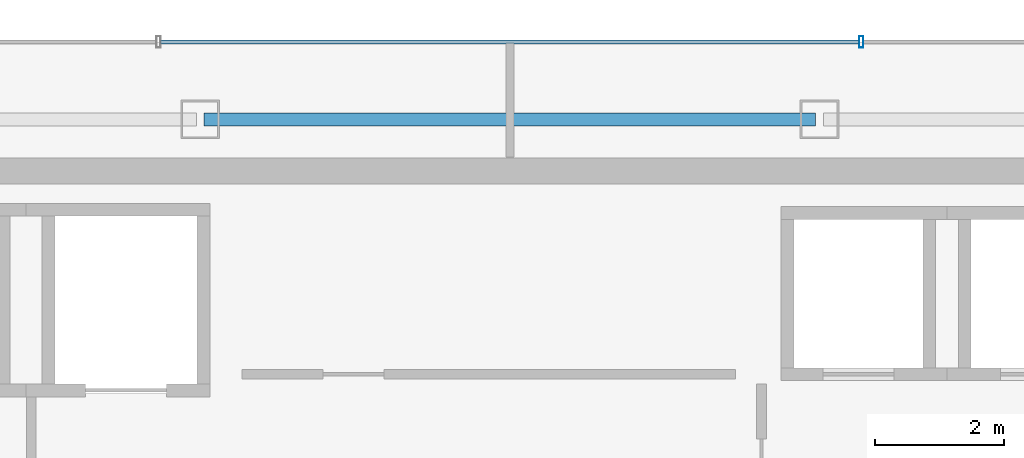
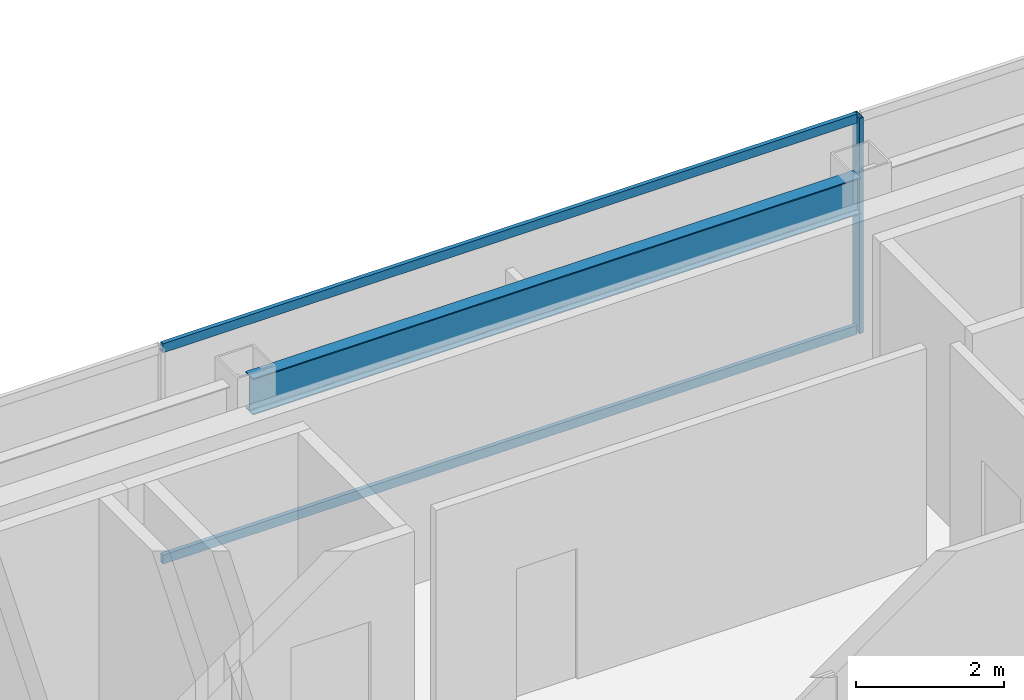
# One storey, part 10 of 23: 3 members, 1 beam, 1 element without a shape of its own.
"""IFC4 building model written with IfcOpenShell, lengths in metres."""

from ifc_helpers import new_model, si_unit, direction, frame, origin, origin_2d, place, context, subcontext, project, spatial, hollow_rectangle, i_section, extrude, material, material_profile, profile_set, type_object, element, aggregate, save


model = new_model("IFC4")

# Units and contexts
model_context = context("Model", 3, precision=1e-05, world=origin(), true_north=direction((0.0, 1.0)))
body_context = subcontext(model_context, "Body", "Model", "MODEL_VIEW")
ifc_project = project(units=[si_unit("LENGTHUNIT", "METRE"), si_unit("AREAUNIT", "SQUARE_METRE"), si_unit("VOLUMEUNIT", "CUBIC_METRE"), si_unit("PLANEANGLEUNIT", "RADIAN"), si_unit("MASSUNIT", "GRAM", prefix="KILO")], contexts=[model_context])

# Site, building, storey
site_placement = place(None, origin())
site = spatial("IfcSite", under=ifc_project, at=site_placement, CompositionType="ELEMENT")
building_placement = place(site_placement, origin())
building = spatial("IfcBuilding", under=site, at=building_placement, Name="Saevonmaru Cultural Tower", CompositionType="ELEMENT")
storey_placement = place(building_placement, frame((0.0, 0.0, 280.0)))
storey = spatial("IfcBuildingStorey", under=building, at=storey_placement, Name="L66", CompositionType="ELEMENT", Elevation=280.0)

# Beam
ifc_material_1 = material(Name="Steel SM355", Category="steel")
ifc_material_profile_1 = material_profile(ifc_material_1, i_section(OverallWidth=0.199951171875, OverallDepth=0.60009765625, WebThickness=0.010986328125, FlangeThickness=0.01708984375, FilletRadius=0.02197265625, at=origin_2d()), Name="H-600x200x11x17")
ifc_profile_set_1 = profile_set([ifc_material_profile_1], Name="Steel SM355")
beam_type = type_object("IfcBeamType", Name="BM-SP-H600", PredefinedType="SPANDREL", material=ifc_profile_set_1)
beam_placement = place(storey_placement, frame((25.260009765625, 54.800048828125, 3.25), z_axis=(1.0, 0.0, 0.0), x_axis=(0.0, 1.0, 0.0)))
element("IfcBeam", 1, at=beam_placement, inside=storey, type_object=beam_type, Name="L66 North Spine Girder 3", PredefinedType="SPANDREL", context=body_context, shape_type="SweptSolid", body=[
    extrude(i_section(OverallWidth=0.199951171875, OverallDepth=0.60009765625, WebThickness=0.010986328125, FlangeThickness=0.01708984375, FilletRadius=0.02197265625, at=origin_2d()), origin(), (0.0, 0.0, 1.0), 9.47998046875),
])

# Curtain wall, members
ifc_material_2 = material(Name="Satin Bronze Anodised Aluminium", Category="aluminium")
curtain_wall_type = type_object("IfcCurtainWallType", Name="CW-TYP-B", PredefinedType="NOTDEFINED", material=ifc_material_2)
curtain_wall_placement = place(storey_placement, origin())
curtain_wall = element("IfcCurtainWall", 2, at=curtain_wall_placement, inside=storey, type_object=curtain_wall_type, Name="L66 North Spine Unitised Curtain Wall E10B", PredefinedType="NOTDEFINED")
ifc_material_profile_2 = material_profile(ifc_material_2, hollow_rectangle(XDim=0.06494140625, YDim=0.179931640625, WallThickness=0.00390625, at=origin_2d()), Name="ALU-MULL-180x65x4")
ifc_profile_set_2 = profile_set([ifc_material_profile_2], Name="Satin Bronze Anodised Aluminium")
member_type_1 = type_object("IfcMemberType", Name="ML-CW-180x65", PredefinedType="MULLION", material=ifc_profile_set_2)
member_1_placement = place(storey_placement, frame((35.44677734375, 56.0, 0.0), z_axis=(0.0, 0.0, 1.0), x_axis=(-1.0, 0.0, 0.0)))
member_1 = element("IfcMember", 3, at=member_1_placement, type_object=member_type_1, Name="CW-TW-L66-E10B mullion 2", PredefinedType="MULLION", context=body_context, shape_type="SweptSolid", body=[
    extrude(hollow_rectangle(XDim=0.06494140625, YDim=0.179931640625, WallThickness=0.00390625, at=origin_2d()), origin(), (0.0, 0.0, 1.0), 3.550048828125),
])
ifc_material_profile_3 = material_profile(ifc_material_2, hollow_rectangle(XDim=0.06494140625, YDim=0.14990234375, WallThickness=0.00390625, at=origin_2d()), Name="ALU-TRAN-150x65x4")
ifc_profile_set_3 = profile_set([ifc_material_profile_3], Name="Satin Bronze Anodised Aluminium")
member_type_2 = type_object("IfcMemberType", Name="TR-CW-150x65", PredefinedType="USERDEFINED", material=ifc_profile_set_3)
member_2_placement = place(storey_placement, frame((35.4140625, 56.0, 0.032470703125), z_axis=(-1.0, 0.0, 0.0), x_axis=(0.0, -1.0, 0.0)))
member_2 = element("IfcMember", 4, at=member_2_placement, type_object=member_type_2, Name="CW-TW-L66-E10B transom 2.1", ObjectType="TRANSOM", PredefinedType="USERDEFINED", context=body_context, shape_type="SweptSolid", body=[
    extrude(hollow_rectangle(XDim=0.06494140625, YDim=0.14990234375, WallThickness=0.00390625, at=origin_2d()), origin(), (0.0, 0.0, 1.0), 10.828125),
])
member_3_placement = place(storey_placement, frame((35.4140625, 56.0, 3.517578125), z_axis=(-1.0, 0.0, 0.0), x_axis=(0.0, -1.0, 0.0)))
member_3 = element("IfcMember", 5, at=member_3_placement, type_object=member_type_2, Name="CW-TW-L66-E10B transom 2.2", ObjectType="TRANSOM", PredefinedType="USERDEFINED", context=body_context, shape_type="SweptSolid", body=[
    extrude(hollow_rectangle(XDim=0.06494140625, YDim=0.14990234375, WallThickness=0.00390625, at=origin_2d()), origin(), (0.0, 0.0, 1.0), 10.828125),
])
aggregate(curtain_wall, [member_1, member_2, member_3])

save(model, "model.ifc")
